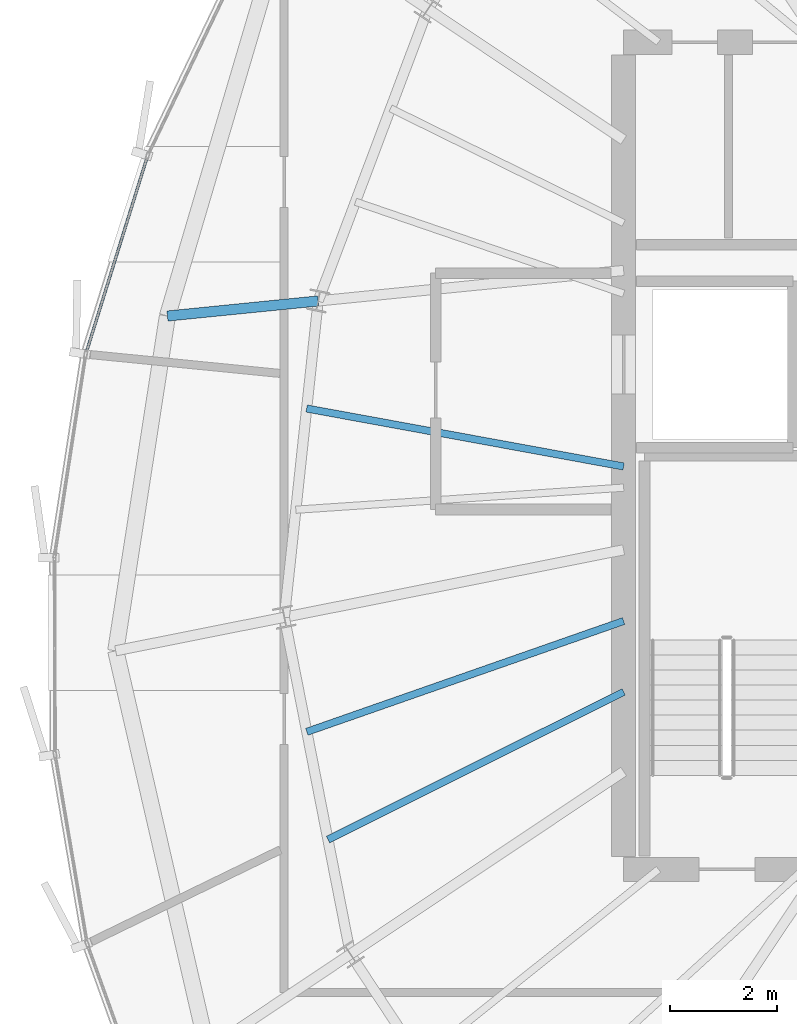
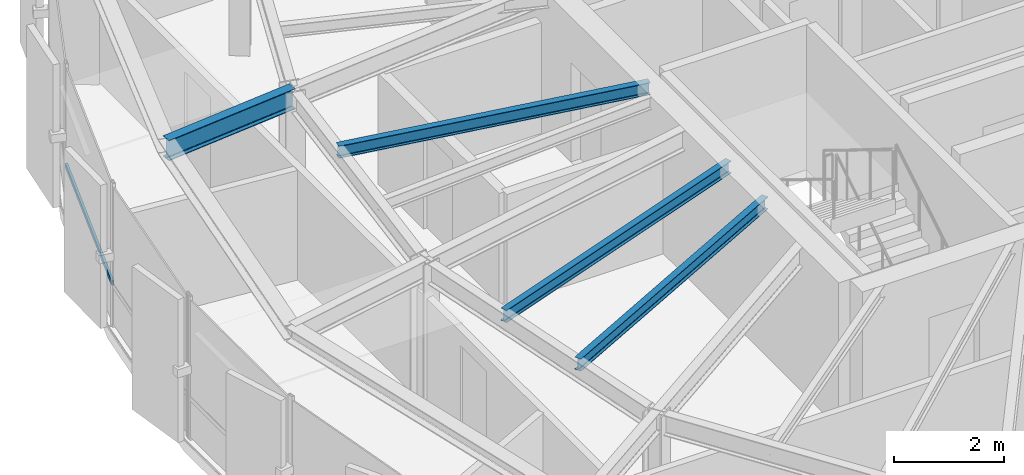
# One storey, part 11 of 31: 4 beams, 1 member, 1 element without a shape of its own.
"""IFC4 building model written with IfcOpenShell, lengths in metres."""

from ifc_helpers import new_model, si_unit, direction, frame, origin, origin_2d, place, context, subcontext, project, spatial, hollow_rectangle, i_section, extrude, source, transform, mapped, material, layer, layer_set, material_profile, profile_set, type_object, element, aggregate, save


model = new_model("IFC4")

# Units and contexts
model_context = context("Model", 3, precision=1e-05, world=origin(), true_north=direction((0.0, 1.0)))
body_context = subcontext(model_context, "Body", "Model", "MODEL_VIEW")
ifc_project = project(units=[si_unit("LENGTHUNIT", "METRE"), si_unit("AREAUNIT", "SQUARE_METRE"), si_unit("VOLUMEUNIT", "CUBIC_METRE"), si_unit("PLANEANGLEUNIT", "RADIAN"), si_unit("MASSUNIT", "GRAM", prefix="KILO"), si_unit("THERMODYNAMICTEMPERATUREUNIT", "KELVIN")], contexts=[model_context])

# Site, building, storey
site_placement = place(None, origin())
site = spatial("IfcSite", under=ifc_project, at=site_placement, CompositionType="ELEMENT")
building_placement = place(site_placement, origin())
building = spatial("IfcBuilding", under=site, at=building_placement, Name="Kethvar Cultural Tower", CompositionType="ELEMENT")
storey_placement = place(building_placement, frame((0.0, 0.0, 276.699951171875)))
storey = spatial("IfcBuildingStorey", under=building, at=storey_placement, Name="L73", CompositionType="ELEMENT", Elevation=276.699951171875)

# Beams
ifc_material_1 = material(Name="Steel S355J2", Category="steel")
ifc_material_profile_1 = material_profile(ifc_material_1, i_section(OverallWidth=0.135009765625, OverallDepth=0.27001953125, WebThickness=0.006591796875, FlangeThickness=0.01025390625, FilletRadius=0.014892578125, at=origin_2d()), Name="Steel S355J2 — IPE270")
ifc_profile_set_1 = profile_set([ifc_material_profile_1], Name="Steel S355J2 — IPE270")
beam_type_1 = type_object("IfcBeamType", Name="BM-J270", PredefinedType="JOIST", material=ifc_profile_set_1)
shared_shape_1 = source(origin(), body_context, "Body", "SweptSolid", [
    extrude(i_section(OverallWidth=0.135009765625, OverallDepth=0.27001953125, WebThickness=0.006591796875, FlangeThickness=0.01025390625, FilletRadius=0.014892578125, at=origin_2d()), origin(), (0.0, 0.0, 1.0), 5.99951171875),
])
beam_1_placement = place(storey_placement, frame((38.0, 27.60009765625, 3.072998046875), z_axis=(-0.983676616141, 0.179945310742, 0.0), x_axis=(-0.179945310742, -0.983676616141, 0.0)))
element("IfcBeam", 1, at=beam_1_placement, inside=storey, type_object=beam_type_1, Name="L73 Composite Floor Joist J-08A", PredefinedType="JOIST", context=body_context, shape_type="MappedRepresentation", body=[
    mapped(shared_shape_1, transform((0.0, 0.0, 0.0), scale=1.0)),
])
shared_shape_2 = source(origin(), body_context, "Body", "SweptSolid", [
    extrude(i_section(OverallWidth=0.135009765625, OverallDepth=0.27001953125, WebThickness=0.006591796875, FlangeThickness=0.01025390625, FilletRadius=0.014892578125, at=origin_2d()), origin(), (0.0, 0.0, 1.0), 6.248779296875),
])
beam_2_placement = place(storey_placement, frame((38.0, 24.722900390625, 3.072998046875), z_axis=(-0.943960031743, -0.330059780148, 0.0), x_axis=(0.330059780148, -0.943960031743, 0.0)))
element("IfcBeam", 2, at=beam_2_placement, inside=storey, type_object=beam_type_1, Name="L73 Composite Floor Joist J-09A", PredefinedType="JOIST", context=body_context, shape_type="MappedRepresentation", body=[
    mapped(shared_shape_2, transform((0.0, 0.0, 0.0), scale=1.0)),
])
shared_shape_3 = source(origin(), body_context, "Body", "SweptSolid", [
    extrude(i_section(OverallWidth=0.135009765625, OverallDepth=0.27001953125, WebThickness=0.006591796875, FlangeThickness=0.01025390625, FilletRadius=0.014892578125, at=origin_2d()), origin(), (0.0, 0.0, 1.0), 6.154052734375),
])
beam_3_placement = place(storey_placement, frame((38.0, 23.40380859375, 3.072998046875), z_axis=(-0.89458581954, -0.446896197655, 0.0), x_axis=(0.446896197655, -0.89458581954, 0.0)))
element("IfcBeam", 3, at=beam_3_placement, inside=storey, type_object=beam_type_1, Name="L73 Composite Floor Joist J-09B", PredefinedType="JOIST", context=body_context, shape_type="MappedRepresentation", body=[
    mapped(shared_shape_3, transform((0.0, 0.0, 0.0), scale=1.0)),
])
ifc_material_profile_2 = material_profile(ifc_material_1, i_section(OverallWidth=0.18994140625, OverallDepth=0.449951171875, WebThickness=0.009521484375, FlangeThickness=0.0146484375, FilletRadius=0.02099609375, at=origin_2d()), Name="Steel S355J2 — IPE450")
ifc_profile_set_2 = profile_set([ifc_material_profile_2], Name="Steel S355J2 — IPE450")
beam_type_2 = type_object("IfcBeamType", Name="BM-IPE450", PredefinedType="BEAM", material=ifc_profile_set_2)
shared_shape_4 = source(origin(), body_context, "Body", "SweptSolid", [
    extrude(i_section(OverallWidth=0.18994140625, OverallDepth=0.449951171875, WebThickness=0.009521484375, FlangeThickness=0.0146484375, FilletRadius=0.02099609375, at=origin_2d()), origin(), (0.0, 0.0, 1.0), 2.81982421875),
])
beam_4_placement = place(storey_placement, frame((32.3125, 30.681884765625, 2.983154296875), z_axis=(-0.995048327755, -0.099392280541, 0.0), x_axis=(0.099392280541, -0.995048327755, 0.0)))
element("IfcBeam", 4, at=beam_4_placement, inside=storey, type_object=beam_type_2, Name="L73 Perimeter Cantilever Beam RC-08", PredefinedType="BEAM", context=body_context, shape_type="MappedRepresentation", body=[
    mapped(shared_shape_4, transform((0.0, 0.0, 0.0), scale=1.0)),
])

# Curtain wall, member
ifc_material_2 = material(Name="Aluminium 6063-T6", Category="aluminium")
ifc_layer = layer(ifc_material_2, 0.179931640625, Name="Aluminium 6063-T6", Category="aluminium")
ifc_layer_set = layer_set([ifc_layer], Name="Aluminium 6063-T6 (180 mm)")
curtain_wall_type = type_object("IfcCurtainWallType", Name="CW-SYS-05-Z56", PredefinedType="NOTDEFINED", material=ifc_layer_set)
curtain_wall_placement = place(storey_placement, origin())
curtain_wall = element("IfcCurtainWall", 5, at=curtain_wall_placement, inside=storey, type_object=curtain_wall_type, Name="L73 Curtain Wall Run 02", PredefinedType="NOTDEFINED")
ifc_material_profile_3 = material_profile(ifc_material_2, hollow_rectangle(XDim=0.050048828125, YDim=0.10009765625, WallThickness=0.00390625, at=origin_2d()), Name="Aluminium 6063-T6 — RHS100x50x4")
ifc_profile_set_3 = profile_set([ifc_material_profile_3], Name="Aluminium 6063-T6 — RHS100x50x4")
member_type = type_object("IfcMemberType", Name="CW-SYS-05-Z56-TRN", PredefinedType="USERDEFINED", material=ifc_profile_set_3)
shared_shape_5 = source(origin(), body_context, "Body", "SweptSolid", [
    extrude(hollow_rectangle(XDim=0.050048828125, YDim=0.10009765625, WallThickness=0.00390625, at=origin_2d()), origin(), (0.0, 0.0, 1.0), 3.808837890625),
])
member_placement = place(storey_placement, frame((29.126708984375, 33.35205078125, 0.949951171875), z_axis=(-0.297552242771, -0.954705537232, 0.0), x_axis=(0.954705537232, -0.297552242771, 0.0)))
member = element("IfcMember", 6, at=member_placement, type_object=member_type, Name="CW-L73-R02 Transom 5", ObjectType="TRANSOM", PredefinedType="USERDEFINED", context=body_context, shape_type="MappedRepresentation", body=[
    mapped(shared_shape_5, transform((0.0, 0.0, 0.0), scale=1.0)),
])
aggregate(curtain_wall, [member])

save(model, "model.ifc")
